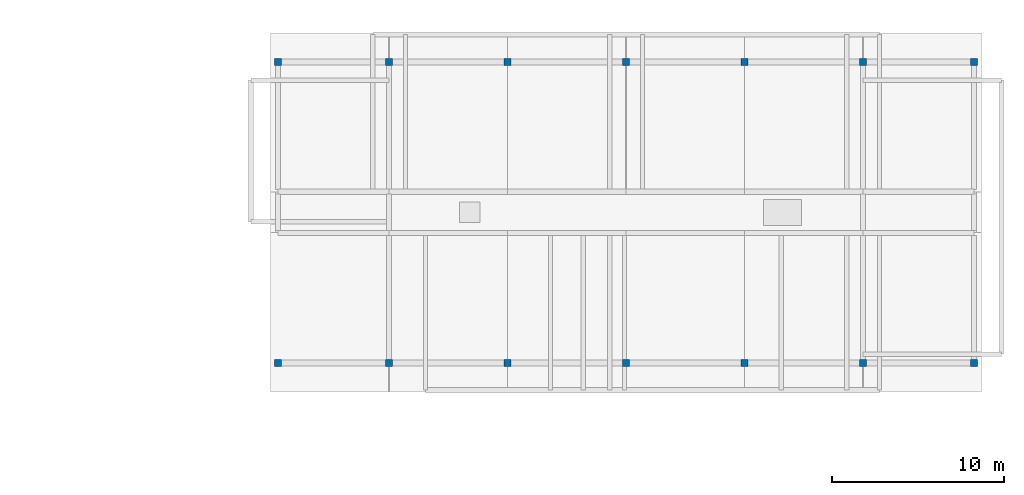
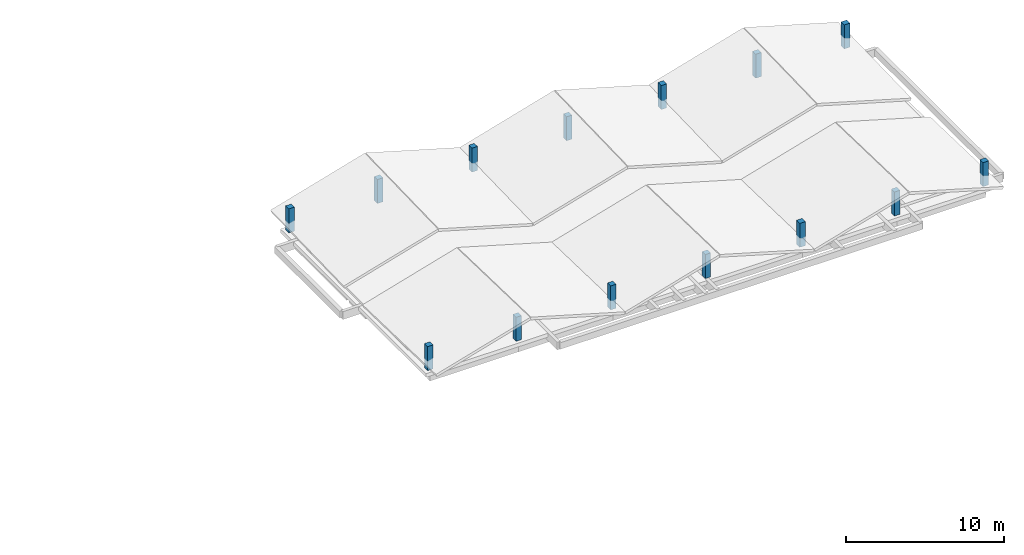
# One storey, part 2 of 21: 14 columns.
"""IFC4 building model written with IfcOpenShell, lengths in metres."""

import ifcopenshell
import ifcopenshell.guid

model = None  # the IFC model being written
_history = None  # IfcOwnerHistory: only IFC2X3 demands one
_inside = {}  # id of a spatial element -> (the spatial element, [elements in it])
_under = {}  # id of a project, library or spatial element -> (it, [spatial elements below it])
_declared = {}  # id of a project -> (the project, [libraries it declares])
_typed = {}  # id of a type object -> (the type object, [elements of that type])
_made_of = {}  # id of a material, layer set ... -> (it, [elements and type objects made of it])


def new_model(schema):
    """Start an empty IFC model of exactly this schema.

    Asked for "IFC4X3", IfcOpenShell would pick the latest addendum, in which some entities
    have other attributes; the version numbers below select the first issue.
    IFC2X3 requires an IfcOwnerHistory on every rooted entity: one is made here for all.
    """
    global model, _history
    if schema == "IFC4X3":
        model = ifcopenshell.file(schema_version=(4, 3, 0, 0))
    else:
        model = ifcopenshell.file(schema=schema)
    _inside.clear()
    _under.clear()
    _declared.clear()
    _typed.clear()
    _made_of.clear()
    _history = None
    if model.schema == "IFC2X3":
        org = make("IfcOrganization", Name="unknown")
        user = make(
            "IfcPersonAndOrganization",
            ThePerson=make("IfcPerson", FamilyName="unknown"),
            TheOrganization=org,
        )
        app = make(
            "IfcApplication",
            ApplicationDeveloper=org,
            Version="unknown",
            ApplicationFullName="unknown",
            ApplicationIdentifier="unknown",
        )
        _history = make(
            "IfcOwnerHistory",
            OwningUser=user,
            OwningApplication=app,
            ChangeAction="ADDED",
            CreationDate=0,
        )
    return model


def make(cls, **values):
    """One entity of the class cls with the attributes given. An attribute that is None is left unset."""
    return model.create_entity(
        cls, **{name: value for name, value in values.items() if value is not None}
    )


def rooted(cls, **values):
    """An entity with a GlobalId (a new one), such as an element, a storey or a relation."""
    return make(cls, GlobalId=ifcopenshell.guid.new(), OwnerHistory=_history, **values)


def si_unit(unit_type, name, prefix=None):
    """IfcSIUnit, for example si_unit("LENGTHUNIT", "METRE", prefix="MILLI")."""
    return make("IfcSIUnit", UnitType=unit_type, Prefix=prefix, Name=name)


def assignment(units):
    """IfcUnitAssignment: the units of a project."""
    return None if units is None else make("IfcUnitAssignment", Units=units)


def point(xyz):
    """IfcCartesianPoint."""
    return None if xyz is None else make("IfcCartesianPoint", Coordinates=xyz)


def direction(xyz):
    """IfcDirection."""
    return None if xyz is None else make("IfcDirection", DirectionRatios=xyz)


def frame(location, z_axis=None, x_axis=None):
    """IfcAxis2Placement3D, a coordinate frame: its origin and axes. An axis left out is left unset."""
    return make(
        "IfcAxis2Placement3D",
        Location=point(location),
        Axis=direction(z_axis),
        RefDirection=direction(x_axis),
    )


def frame_2d(location, x_axis=None):
    """IfcAxis2Placement2D, a coordinate frame in the plane: its origin and x axis."""
    return make(
        "IfcAxis2Placement2D", Location=point(location), RefDirection=direction(x_axis)
    )


def origin():
    """The frame at (0, 0, 0) with its axes left unset."""
    return frame((0.0, 0.0, 0.0))


def origin_2d():
    """The frame at (0, 0) in the plane with its x axis left unset."""
    return frame_2d((0.0, 0.0))


def place(relative_to, where):
    """IfcLocalPlacement: puts the frame where relative to a parent placement (None: the world)."""
    return make(
        "IfcLocalPlacement", PlacementRelTo=relative_to, RelativePlacement=where
    )


def context(
    kind, dimensions, precision=None, world=None, true_north=None, identifier=None
):
    """IfcGeometricRepresentationContext, for example the 3D "Model" context."""
    return make(
        "IfcGeometricRepresentationContext",
        ContextIdentifier=identifier,
        ContextType=kind,
        CoordinateSpaceDimension=dimensions,
        Precision=precision,
        WorldCoordinateSystem=world,
        TrueNorth=true_north,
    )


def subcontext(parent, identifier, kind, view, scale=None):
    """IfcGeometricRepresentationSubContext, for example "Body" below "Model"."""
    return make(
        "IfcGeometricRepresentationSubContext",
        ContextIdentifier=identifier,
        ContextType=kind,
        ParentContext=parent,
        TargetScale=scale,
        TargetView=view,
    )


def project(units=None, contexts=None):
    """IfcProject with its units and contexts."""
    return rooted(
        "IfcProject",
        Name="project",
        RepresentationContexts=contexts,
        UnitsInContext=assignment(units),
    )


def spatial(cls, under=None, at=None, **own):
    """A site, building, storey or space (cls), placed at a placement, below another one or the project."""
    s = rooted(cls, ObjectPlacement=at, **own)
    if under is not None:
        _under.setdefault(under.id(), (under, []))[1].append(s)
    return s


def profile(cls, at=None, kind="AREA", **sizes):
    """A parametric profile (cls). Its sizes go by their IFC names, for example OverallWidth=200.0."""
    return make(cls, ProfileType=kind, Position=at, **sizes)


def rectangle(**sizes):
    """IfcRectangleProfileDef."""
    return profile("IfcRectangleProfileDef", **sizes)


def extrude(swept, where, along, depth):
    """IfcExtrudedAreaSolid: the profile swept, set in the frame where, extruded along a direction by depth."""
    return make(
        "IfcExtrudedAreaSolid",
        SweptArea=swept,
        Position=where,
        ExtrudedDirection=direction(along),
        Depth=depth,
    )


def shape(context_of_items, identifier, shape_type, items):
    """IfcShapeRepresentation: the items that make up one representation, for example the "Body"."""
    return make(
        "IfcShapeRepresentation",
        ContextOfItems=context_of_items,
        RepresentationIdentifier=identifier,
        RepresentationType=shape_type,
        Items=items,
    )


def material(Name=None, Category=None):
    """IfcMaterial."""
    return make("IfcMaterial", Name=Name, Category=Category)


def material_profile(
    of_material, cross_section, Name=None, Category=None, Priority=None
):
    """IfcMaterialProfile: a cross section and its material."""
    return make(
        "IfcMaterialProfile",
        Name=Name,
        Material=of_material,
        Profile=cross_section,
        Priority=Priority,
        Category=Category,
    )


def profile_set(profiles, Name=None, composite=None):
    """IfcMaterialProfileSet."""
    return make(
        "IfcMaterialProfileSet",
        Name=Name,
        MaterialProfiles=profiles,
        CompositeProfile=composite,
    )


def made_of(thing, what):
    """Note that an element or type object is made of a material, layer set ...; save() writes the relation."""
    if what is not None:
        _made_of.setdefault(what.id(), (what, []))[1].append(thing)
    return thing


def type_object(cls, material=None, **own):
    """A type object (cls), such as IfcWallType, which elements share."""
    return made_of(rooted(cls, **own), material)


def element(
    cls,
    number,
    at=None,
    inside=None,
    cuts=None,
    type_object=None,
    material=None,
    context=None,
    identifier="Body",
    shape_type=None,
    held_by="IfcProductDefinitionShape",
    body=None,
    shapes=None,
    **own,
):
    """One element of the class cls, such as IfcWall. Its Tag is "e" and its number.

    at: its placement. inside: the storey or other place that contains it. cuts: it is an
    opening in that element (IfcRelVoidsElement). A single representation is given by context,
    identifier, shape_type and body (its items); several are given by shapes. held_by: the class
    of the entity that holds the representations. save() writes the other relations.
    """
    e = rooted(cls, Tag="e%d" % number, ObjectPlacement=at, **own)
    if body is not None:
        shapes = [shape(context, identifier, shape_type, body)]
    if shapes is not None:
        e.Representation = make(held_by, Representations=shapes)
    if inside is not None:
        _inside.setdefault(inside.id(), (inside, []))[1].append(e)
    if cuts is not None:
        rooted(
            "IfcRelVoidsElement", RelatingBuildingElement=cuts, RelatedOpeningElement=e
        )
    if type_object is not None:
        _typed.setdefault(type_object.id(), (type_object, []))[1].append(e)
    return made_of(e, material)


def aggregate(whole, parts):
    """IfcRelAggregates: a whole, such as a stair, and the parts it consists of."""
    return rooted("IfcRelAggregates", RelatingObject=whole, RelatedObjects=parts)


def save(model, path):
    """Write the relations noted so far, then the file.

    IfcRelAggregates (storeys below a building ...), IfcRelContainedInSpatialStructure (elements
    in a storey), IfcRelDefinesByType, IfcRelAssociatesMaterial and IfcRelDeclares: one each for
    every whole, place, type object, material and project.
    """
    for whole, parts in _under.values():
        aggregate(whole, parts)
    for where, things in _inside.values():
        rooted(
            "IfcRelContainedInSpatialStructure",
            RelatedElements=things,
            RelatingStructure=where,
        )
    for kind, things in _typed.values():
        rooted("IfcRelDefinesByType", RelatedObjects=things, RelatingType=kind)
    for what, things in _made_of.values():
        rooted("IfcRelAssociatesMaterial", RelatedObjects=things, RelatingMaterial=what)
    for by, libraries in _declared.values():
        rooted("IfcRelDeclares", RelatingContext=by, RelatedDefinitions=libraries)
    model.write(path)


model = new_model("IFC4")

# Units and contexts
model_context = context("Model", 3, precision=1e-05, world=origin(), true_north=direction((0.0, 1.0)))
body_context = subcontext(model_context, "Body", "Model", "MODEL_VIEW")
ifc_project = project(units=[si_unit("LENGTHUNIT", "METRE"), si_unit("AREAUNIT", "SQUARE_METRE"), si_unit("VOLUMEUNIT", "CUBIC_METRE"), si_unit("PLANEANGLEUNIT", "RADIAN"), si_unit("MASSUNIT", "GRAM", prefix="KILO")], contexts=[model_context])

# Site, building, storey
site_placement = place(None, origin())
site = spatial("IfcSite", under=ifc_project, at=site_placement, CompositionType="ELEMENT")
building_placement = place(site_placement, origin())
building = spatial("IfcBuilding", under=site, at=building_placement, Name="Zavelmont Quarter", CompositionType="ELEMENT")
storey_placement = place(building_placement, frame((0.0, 0.0, 36.800048828125)))
storey = spatial("IfcBuildingStorey", under=building, at=storey_placement, Name="L11", CompositionType="ELEMENT", Elevation=36.800048828125)

# Columns
ifc_material = material(Name="Concrete C35/45", Category="concrete")
ifc_material_profile = material_profile(ifc_material, rectangle(XDim=0.39990234375, YDim=0.39990234375, at=origin_2d()), Name="RC400X400")
ifc_profile_set = profile_set([ifc_material_profile], Name="Concrete C35/45")
column_type = type_object("IfcColumnType", Name="CL05", PredefinedType="COLUMN", material=ifc_profile_set)
for number, where, z_axis, x_axis, name in (
    (1, (127.0400390625, 98.0400390625, 0.0), (0.0, 0.0, 1.0), (1.0, 0.0, 0.0), "L11 column CL05 at 19/P"),
    (2, (127.0400390625, 115.56005859375, 0.0), (0.0, 0.0, 1.0), (1.0, 0.0, 0.0), "L11 column CL05 at 19/S"),
    (3, (133.5, 98.0400390625, 0.0), (0.0, 0.0, 1.0), (1.0, 0.0, 0.0), "L11 column CL05 at 20/P"),
    (4, (133.5, 115.56005859375, 0.0), (0.0, 0.0, 1.0), (1.0, 0.0, 0.0), "L11 column CL05 at 20/S"),
    (5, (140.39990234375, 98.0400390625, 0.0), (0.0, 0.0, 1.0), (1.0, 0.0, 0.0), "L11 column CL05 at 21/P"),
    (6, (140.39990234375, 115.56005859375, 0.0), (0.0, 0.0, 1.0), (1.0, 0.0, 0.0), "L11 column CL05 at 21/S"),
    (7, (147.300048828125, 98.0400390625, 0.0), (0.0, 0.0, 1.0), (1.0, 0.0, 0.0), "L11 column CL05 at 22/P"),
    (8, (147.300048828125, 115.56005859375, 0.0), (0.0, 0.0, 1.0), (1.0, 0.0, 0.0), "L11 column CL05 at 22/S"),
    (9, (154.199951171875, 98.0400390625, 0.0), (0.0, 0.0, 1.0), (1.0, 0.0, 0.0), "L11 column CL05 at 23/P"),
    (10, (154.199951171875, 115.56005859375, 0.0), (0.0, 0.0, 1.0), (1.0, 0.0, 0.0), "L11 column CL05 at 23/S"),
    (11, (161.10009765625, 98.0400390625, 0.0), (0.0, 0.0, 1.0), (1.0, 0.0, 0.0), "L11 column CL05 at 24/P"),
    (12, (161.10009765625, 115.56005859375, 0.0), (0.0, 0.0, 1.0), (1.0, 0.0, 0.0), "L11 column CL05 at 24/S"),
    (13, (167.56005859375, 98.0400390625, 0.0), (0.0, 0.0, 1.0), (1.0, 0.0, 0.0), "L11 column CL05 at 25/P"),
    (14, (167.56005859375, 115.56005859375, 0.0), (0.0, 0.0, 1.0), (1.0, 0.0, 0.0), "L11 column CL05 at 25/S"),
):
    element("IfcColumn", number, at=place(storey_placement, frame(where, z_axis=z_axis, x_axis=x_axis)), inside=storey, type_object=column_type, Name=name, PredefinedType="COLUMN", context=body_context, shape_type="SweptSolid", body=[
        extrude(rectangle(XDim=0.39990234375, YDim=0.39990234375, at=origin_2d()), origin(), (0.0, 0.0, 1.0), 1.849853515625),
    ])

save(model, "model.ifc")
